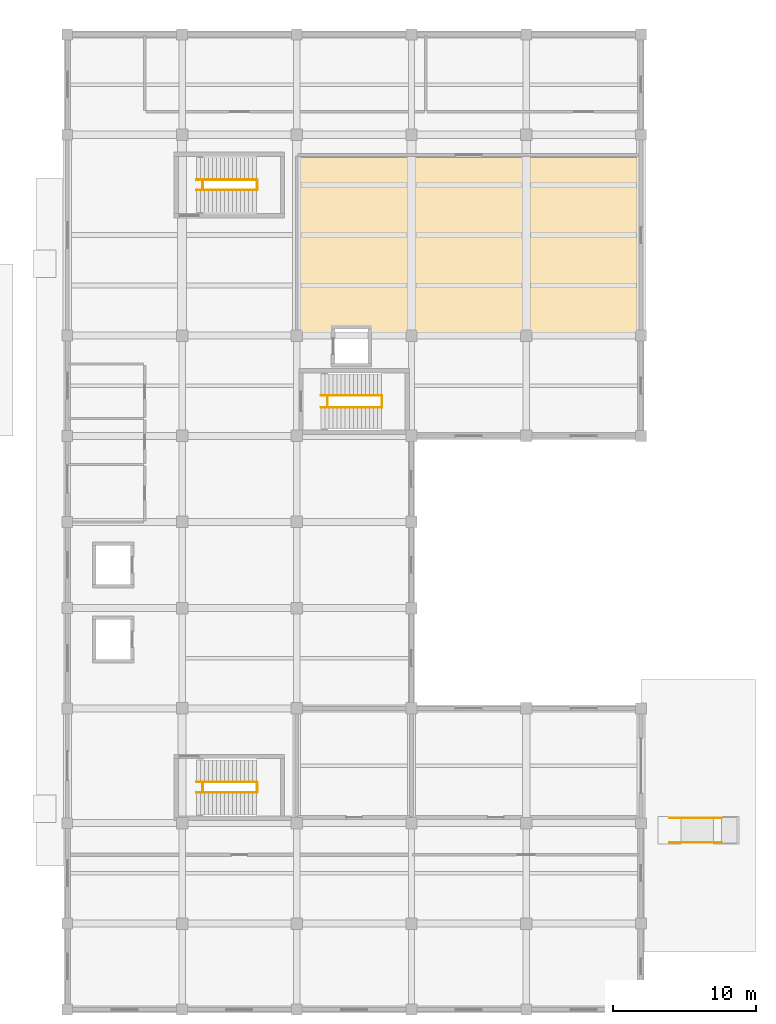
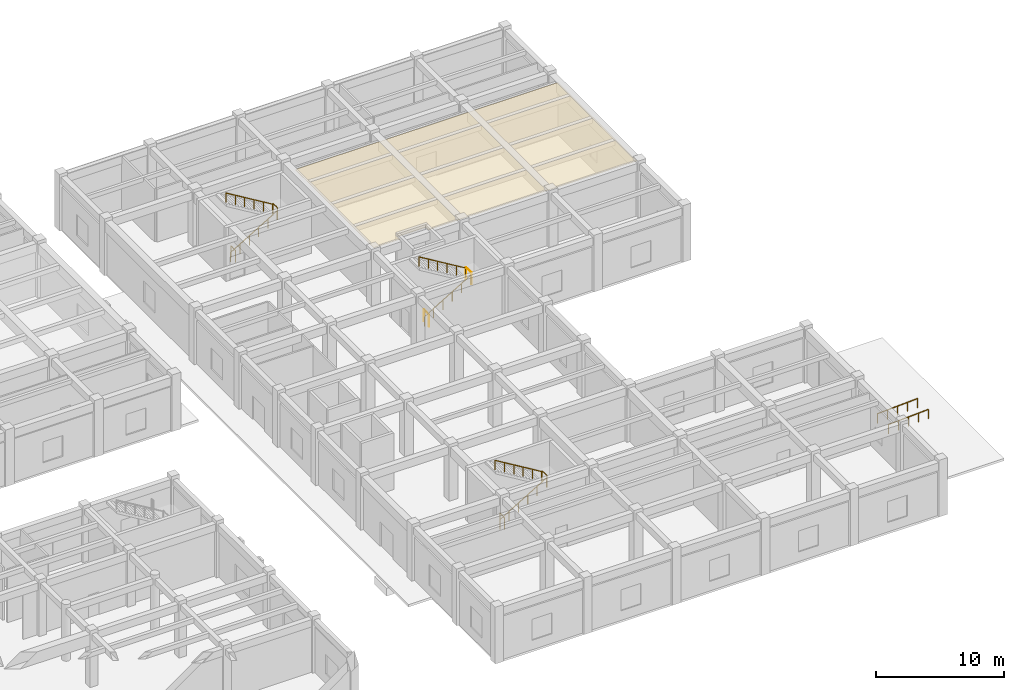
# One storey, part 40 of 40: 14 railings, 1 covering.
"""IFC4 building model written with IfcOpenShell, lengths in metres."""

from ifc_helpers import new_model, si_unit, direction, frame, origin, origin_2d, place, context, subcontext, project, spatial, polyline, circle, outline, extrude, material, layer, layer_set, type_object, element, save


model = new_model("IFC4")

# Units and contexts
model_context = context("Model", 3, precision=1e-05, world=origin(), true_north=direction((0.0, 1.0)))
body_context = subcontext(model_context, "Body", "Model", "MODEL_VIEW")
ifc_project = project(units=[si_unit("LENGTHUNIT", "METRE"), si_unit("AREAUNIT", "SQUARE_METRE"), si_unit("VOLUMEUNIT", "CUBIC_METRE"), si_unit("PLANEANGLEUNIT", "RADIAN"), si_unit("MASSUNIT", "GRAM", prefix="KILO")], contexts=[model_context])

# Site, building, storey
site_placement = place(None, origin())
site = spatial("IfcSite", under=ifc_project, at=site_placement, CompositionType="ELEMENT")
building_placement = place(site_placement, origin())
building = spatial("IfcBuilding", under=site, at=building_placement, Name="Naurynzar Civic Courthouse", CompositionType="ELEMENT")
storey_placement = place(building_placement, origin())
storey = spatial("IfcBuildingStorey", under=building, at=storey_placement, Name="L01", CompositionType="ELEMENT", Elevation=0.0)

# Covering
ifc_material_1 = material(Name="Acoustic Oak Timber Grade A", Category="wood")
ifc_layer = layer(ifc_material_1, 0.044921875)
ifc_layer_set = layer_set([ifc_layer], Name="CEIL-ACOUSTIC-OAK-45")
covering_type = type_object("IfcCoveringType", Name="CEIL-ACOUSTIC-OAK-45", PredefinedType="CEILING", material=ifc_layer_set)
covering_placement = place(storey_placement, frame((0.0, 0.0, 5.014892578125)))
element("IfcCovering", 1, at=covering_placement, inside=storey, type_object=covering_type, Name="Acoustic suspended ceiling Criminal Duty Courtroom 1A", PredefinedType="CEILING", context=body_context, shape_type="SweptSolid", body=[
    extrude(outline(polyline([(151.070068359375, 51.159912109375), (151.070068359375, 51.570068359375), (148.530029296875, 51.570068359375), (148.530029296875, 51.159912109375), (146.159912109375, 51.159912109375), (146.159912109375, 63.43994140625), (169.840087890625, 63.43994140625), (169.840087890625, 51.159912109375), (151.070068359375, 51.159912109375)])), origin(), (0.0, 0.0, 1.0), 0.045166015625),
])

# Railings
ifc_material_2 = material(Name="Brushed Stainless Steel 304", Category="steel")
railing_type_1 = type_object("IfcRailingType", Name="RAIL-BAL-1100", PredefinedType="BALUSTRADE", material=ifc_material_2)
for number, where, name in (
    (2, (139.43994140625, 19.139892578125, 0.0), "Stair ST-V5A floor well slot guard L01"),
    (3, (143.239990234375, 19.139892578125, 2.699951171875), "Stair ST-V5A-L01 half-landing well guard"),
    (4, (139.43994140625, 61.139892578125, 0.0), "Stair ST-V5B floor well slot guard L01"),
    (5, (143.239990234375, 61.139892578125, 2.699951171875), "Stair ST-V5B-L01 half-landing well guard"),
):
    element("IfcRailing", number, at=place(storey_placement, frame(where)), inside=storey, type_object=railing_type_1, Name=name, PredefinedType="BALUSTRADE", context=body_context, shape_type="SweptSolid", body=[
        extrude(circle(Radius=0.02392578125, at=origin_2d()), frame((0.0, 0.0, 1.09619140625), z_axis=(0.0, 1.0, 0.0), x_axis=(-1.0, 0.0, 0.0)), (0.0, 0.0, 1.0), 0.72021484375),
        extrude(circle(Radius=0.02099609375, at=origin_2d()), origin(), (0.0, 0.0, 1.0), 1.072021484375),
        extrude(circle(Radius=0.02099609375, at=origin_2d()), frame((0.0, 0.72021484375, 0.0)), (0.0, 0.0, 1.0), 1.072021484375),
    ])
for number, where, name in (
    (6, (148.139892578125, 45.989990234375, 0.0), "Stair ST-CUS floor well slot guard L01"),
    (7, (151.93994140625, 45.989990234375, 2.699951171875), "Stair ST-CUS-L01 half-landing well guard"),
):
    element("IfcRailing", number, at=place(storey_placement, frame(where)), inside=storey, type_object=railing_type_1, Name=name, PredefinedType="BALUSTRADE", context=body_context, shape_type="SweptSolid", body=[
        extrude(circle(Radius=0.02392578125, at=origin_2d()), frame((0.0, 0.0, 1.09619140625), z_axis=(0.0, 1.0, 0.0), x_axis=(-1.0, 0.0, 0.0)), (0.0, 0.0, 1.0), 0.820068359375),
        extrude(circle(Radius=0.02099609375, at=origin_2d()), origin(), (0.0, 0.0, 1.0), 1.072021484375),
        extrude(circle(Radius=0.02099609375, at=origin_2d()), frame((0.0, 0.820068359375, 0.0)), (0.0, 0.0, 1.0), 1.072021484375),
    ])
ifc_material_3 = material(Name="Brushed Stainless Steel 304", Category="steel")
railing_type_2 = type_object("IfcRailingType", Name="RAIL-HR-900", PredefinedType="HANDRAIL", material=ifc_material_3)
for number, where, name in (
    (8, (172.0, 15.64990234375, -0.179931640625), "Accessible ramp handrail RMP-06.1"),
    (9, (172.0, 17.35009765625, -0.179931640625), "Accessible ramp handrail RMP-06.2"),
):
    element("IfcRailing", number, at=place(storey_placement, frame(where)), inside=storey, type_object=railing_type_2, Name=name, PredefinedType="HANDRAIL", context=body_context, shape_type="SweptSolid", body=[
        extrude(circle(Radius=0.02392578125, at=origin_2d()), frame((0.0, 0.0, 0.8759765625), z_axis=(0.998753352096, 0.0, 0.049917348467), x_axis=(0.0, 1.0, 0.0)), (0.0, 0.0, 1.0), 3.6044921875),
        extrude(circle(Radius=0.02099609375, at=origin_2d()), origin(), (0.0, 0.0, 1.0), 0.851806640625),
        extrude(circle(Radius=0.02099609375, at=origin_2d()), frame((0.89990234375, 0.0, 0.044921875)), (0.0, 0.0, 1.0), 0.851806640625),
        extrude(circle(Radius=0.02099609375, at=origin_2d()), frame((1.800048828125, 0.0, 0.08984375)), (0.0, 0.0, 1.0), 0.851806640625),
        extrude(circle(Radius=0.02099609375, at=origin_2d()), frame((2.7001953125, 0.0, 0.135009765625)), (0.0, 0.0, 1.0), 0.851806640625),
        extrude(circle(Radius=0.02099609375, at=origin_2d()), frame((3.60009765625, 0.0, 0.179931640625)), (0.0, 0.0, 1.0), 0.851806640625),
    ])
railing_1_placement = place(storey_placement, frame((139.0, 19.139892578125, 0.168701171875)))
element("IfcRailing", 10, at=railing_1_placement, inside=storey, type_object=railing_type_2, Name="Stair ST-V5A-L01 flight 1 handrail", PredefinedType="HANDRAIL", context=body_context, shape_type="SweptSolid", body=[
    extrude(circle(Radius=0.02392578125, at=origin_2d()), frame((0.0, 0.0, 0.8759765625), z_axis=(0.856476492594, 0.0, 0.516186030065), x_axis=(0.0, 1.0, 0.0)), (0.0, 0.0, 1.0), 4.90380859375),
    extrude(circle(Radius=0.02099609375, at=origin_2d()), origin(), (0.0, 0.0, 1.0), 0.851806640625),
    extrude(circle(Radius=0.02099609375, at=origin_2d()), frame((0.840087890625, 0.0, 0.50634765625)), (0.0, 0.0, 1.0), 0.851806640625),
    extrude(circle(Radius=0.02099609375, at=origin_2d()), frame((1.679931640625, 0.0, 1.012451171875)), (0.0, 0.0, 1.0), 0.851806640625),
    extrude(circle(Radius=0.02099609375, at=origin_2d()), frame((2.52001953125, 0.0, 1.518798828125)), (0.0, 0.0, 1.0), 0.851806640625),
    extrude(circle(Radius=0.02099609375, at=origin_2d()), frame((3.35986328125, 0.0, 2.02490234375)), (0.0, 0.0, 1.0), 0.851806640625),
    extrude(circle(Radius=0.02099609375, at=origin_2d()), frame((4.199951171875, 0.0, 2.53125)), (0.0, 0.0, 1.0), 0.851806640625),
])
railing_2_placement = place(storey_placement, frame((143.199951171875, 19.860107421875, 2.868896484375)))
element("IfcRailing", 11, at=railing_2_placement, inside=storey, type_object=railing_type_2, Name="Stair ST-V5A-L01 flight 2 handrail", PredefinedType="HANDRAIL", context=body_context, shape_type="SweptSolid", body=[
    extrude(circle(Radius=0.02392578125, at=origin_2d()), frame((0.0, 0.0, 0.8759765625), z_axis=(-0.856498503035, 0.0, 0.5161495077), x_axis=(0.0, -1.0, 0.0)), (0.0, 0.0, 1.0), 4.903564453125),
    extrude(circle(Radius=0.02099609375, at=origin_2d()), origin(), (0.0, 0.0, 1.0), 0.851806640625),
    extrude(circle(Radius=0.02099609375, at=origin_2d()), frame((-0.840087890625, 0.0, 0.506103515625)), (0.0, 0.0, 1.0), 0.851806640625),
    extrude(circle(Radius=0.02099609375, at=origin_2d()), frame((-1.679931640625, 0.0, 1.012451171875)), (0.0, 0.0, 1.0), 0.851806640625),
    extrude(circle(Radius=0.02099609375, at=origin_2d()), frame((-2.52001953125, 0.0, 1.5185546875)), (0.0, 0.0, 1.0), 0.851806640625),
    extrude(circle(Radius=0.02099609375, at=origin_2d()), frame((-3.35986328125, 0.0, 2.02490234375)), (0.0, 0.0, 1.0), 0.851806640625),
    extrude(circle(Radius=0.02099609375, at=origin_2d()), frame((-4.199951171875, 0.0, 2.531005859375)), (0.0, 0.0, 1.0), 0.851806640625),
])
railing_3_placement = place(storey_placement, frame((139.0, 61.139892578125, 0.168701171875)))
element("IfcRailing", 12, at=railing_3_placement, inside=storey, type_object=railing_type_2, Name="Stair ST-V5B-L01 flight 1 handrail", PredefinedType="HANDRAIL", context=body_context, shape_type="SweptSolid", body=[
    extrude(circle(Radius=0.02392578125, at=origin_2d()), frame((0.0, 0.0, 0.8759765625), z_axis=(0.856476492594, 0.0, 0.516186030065), x_axis=(0.0, 1.0, 0.0)), (0.0, 0.0, 1.0), 4.90380859375),
    extrude(circle(Radius=0.02099609375, at=origin_2d()), origin(), (0.0, 0.0, 1.0), 0.851806640625),
    extrude(circle(Radius=0.02099609375, at=origin_2d()), frame((0.840087890625, 0.0, 0.50634765625)), (0.0, 0.0, 1.0), 0.851806640625),
    extrude(circle(Radius=0.02099609375, at=origin_2d()), frame((1.679931640625, 0.0, 1.012451171875)), (0.0, 0.0, 1.0), 0.851806640625),
    extrude(circle(Radius=0.02099609375, at=origin_2d()), frame((2.52001953125, 0.0, 1.518798828125)), (0.0, 0.0, 1.0), 0.851806640625),
    extrude(circle(Radius=0.02099609375, at=origin_2d()), frame((3.35986328125, 0.0, 2.02490234375)), (0.0, 0.0, 1.0), 0.851806640625),
    extrude(circle(Radius=0.02099609375, at=origin_2d()), frame((4.199951171875, 0.0, 2.53125)), (0.0, 0.0, 1.0), 0.851806640625),
])
railing_4_placement = place(storey_placement, frame((143.199951171875, 61.860107421875, 2.868896484375)))
element("IfcRailing", 13, at=railing_4_placement, inside=storey, type_object=railing_type_2, Name="Stair ST-V5B-L01 flight 2 handrail", PredefinedType="HANDRAIL", context=body_context, shape_type="SweptSolid", body=[
    extrude(circle(Radius=0.02392578125, at=origin_2d()), frame((0.0, 0.0, 0.8759765625), z_axis=(-0.856498503035, 0.0, 0.5161495077), x_axis=(0.0, -1.0, 0.0)), (0.0, 0.0, 1.0), 4.903564453125),
    extrude(circle(Radius=0.02099609375, at=origin_2d()), origin(), (0.0, 0.0, 1.0), 0.851806640625),
    extrude(circle(Radius=0.02099609375, at=origin_2d()), frame((-0.840087890625, 0.0, 0.506103515625)), (0.0, 0.0, 1.0), 0.851806640625),
    extrude(circle(Radius=0.02099609375, at=origin_2d()), frame((-1.679931640625, 0.0, 1.012451171875)), (0.0, 0.0, 1.0), 0.851806640625),
    extrude(circle(Radius=0.02099609375, at=origin_2d()), frame((-2.52001953125, 0.0, 1.5185546875)), (0.0, 0.0, 1.0), 0.851806640625),
    extrude(circle(Radius=0.02099609375, at=origin_2d()), frame((-3.35986328125, 0.0, 2.02490234375)), (0.0, 0.0, 1.0), 0.851806640625),
    extrude(circle(Radius=0.02099609375, at=origin_2d()), frame((-4.199951171875, 0.0, 2.531005859375)), (0.0, 0.0, 1.0), 0.851806640625),
])
railing_5_placement = place(storey_placement, frame((147.699951171875, 45.989990234375, 0.168701171875)))
element("IfcRailing", 14, at=railing_5_placement, inside=storey, type_object=railing_type_2, Name="Stair ST-CUS-L01 flight 1 handrail", PredefinedType="HANDRAIL", context=body_context, shape_type="SweptSolid", body=[
    extrude(circle(Radius=0.02392578125, at=origin_2d()), frame((0.0, 0.0, 0.8759765625), z_axis=(0.856476492594, 0.0, 0.516186030065), x_axis=(0.0, 1.0, 0.0)), (0.0, 0.0, 1.0), 4.90380859375),
    extrude(circle(Radius=0.02099609375, at=origin_2d()), origin(), (0.0, 0.0, 1.0), 0.851806640625),
    extrude(circle(Radius=0.02099609375, at=origin_2d()), frame((0.840087890625, 0.0, 0.50634765625)), (0.0, 0.0, 1.0), 0.851806640625),
    extrude(circle(Radius=0.02099609375, at=origin_2d()), frame((1.679931640625, 0.0, 1.012451171875)), (0.0, 0.0, 1.0), 0.851806640625),
    extrude(circle(Radius=0.02099609375, at=origin_2d()), frame((2.52001953125, 0.0, 1.518798828125)), (0.0, 0.0, 1.0), 0.851806640625),
    extrude(circle(Radius=0.02099609375, at=origin_2d()), frame((3.35986328125, 0.0, 2.02490234375)), (0.0, 0.0, 1.0), 0.851806640625),
    extrude(circle(Radius=0.02099609375, at=origin_2d()), frame((4.199951171875, 0.0, 2.53125)), (0.0, 0.0, 1.0), 0.851806640625),
])
railing_6_placement = place(storey_placement, frame((151.89990234375, 46.81005859375, 2.868896484375)))
element("IfcRailing", 15, at=railing_6_placement, inside=storey, type_object=railing_type_2, Name="Stair ST-CUS-L01 flight 2 handrail", PredefinedType="HANDRAIL", context=body_context, shape_type="SweptSolid", body=[
    extrude(circle(Radius=0.02392578125, at=origin_2d()), frame((0.0, 0.0, 0.8759765625), z_axis=(-0.856498503035, 0.0, 0.5161495077), x_axis=(0.0, -1.0, 0.0)), (0.0, 0.0, 1.0), 4.903564453125),
    extrude(circle(Radius=0.02099609375, at=origin_2d()), origin(), (0.0, 0.0, 1.0), 0.851806640625),
    extrude(circle(Radius=0.02099609375, at=origin_2d()), frame((-0.840087890625, 0.0, 0.506103515625)), (0.0, 0.0, 1.0), 0.851806640625),
    extrude(circle(Radius=0.02099609375, at=origin_2d()), frame((-1.679931640625, 0.0, 1.012451171875)), (0.0, 0.0, 1.0), 0.851806640625),
    extrude(circle(Radius=0.02099609375, at=origin_2d()), frame((-2.52001953125, 0.0, 1.5185546875)), (0.0, 0.0, 1.0), 0.851806640625),
    extrude(circle(Radius=0.02099609375, at=origin_2d()), frame((-3.35986328125, 0.0, 2.02490234375)), (0.0, 0.0, 1.0), 0.851806640625),
    extrude(circle(Radius=0.02099609375, at=origin_2d()), frame((-4.199951171875, 0.0, 2.531005859375)), (0.0, 0.0, 1.0), 0.851806640625),
])

save(model, "model.ifc")
